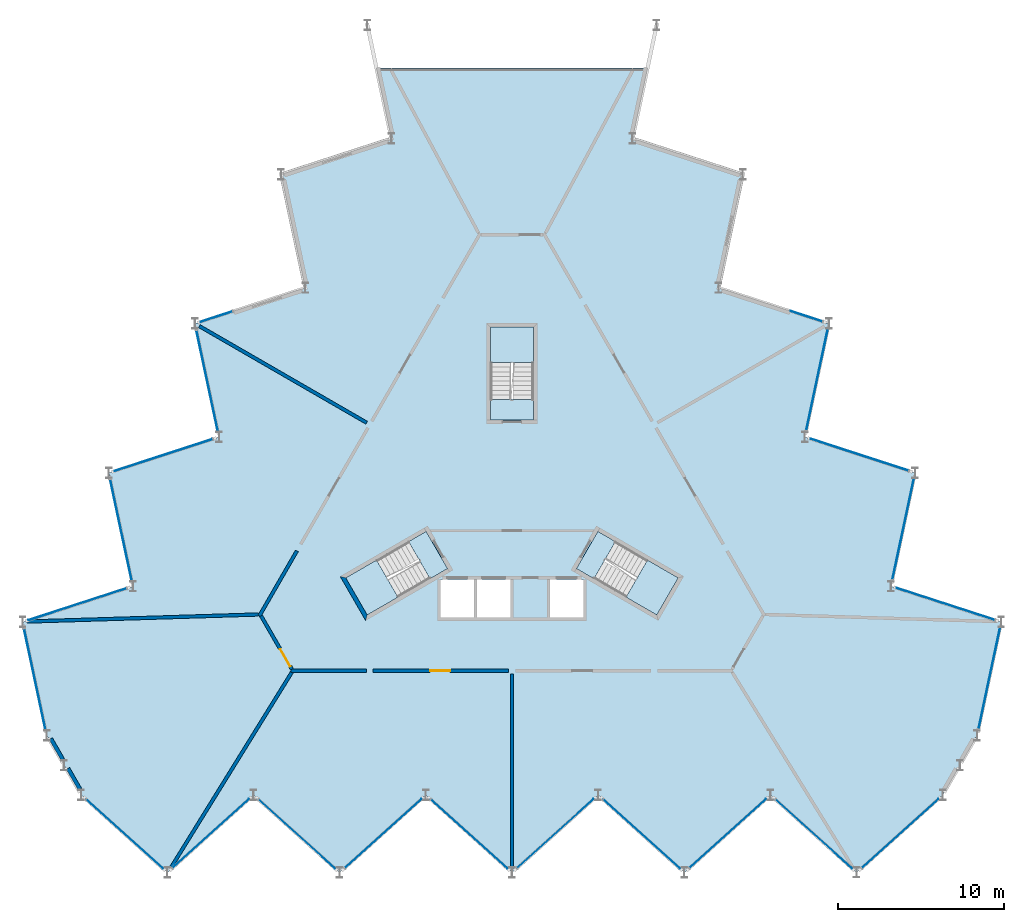
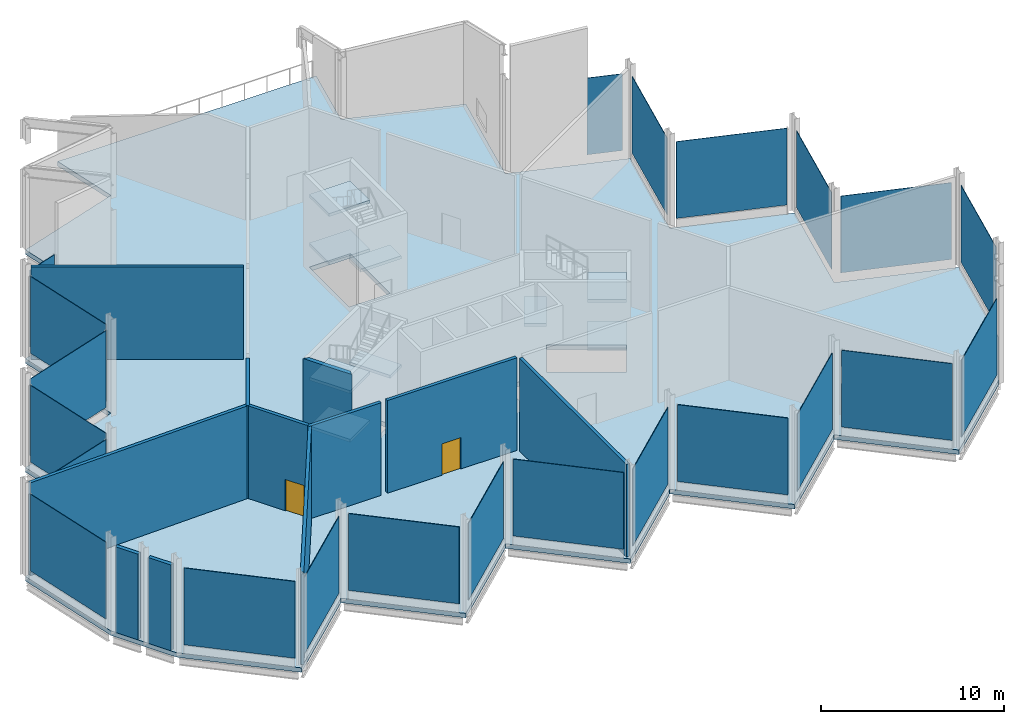
# One storey, part 9 of 12: 22 plates, 11 walls, 10 slabs, 2 doors, 2 openings, 25 elements without a shape of their own.
"""IFC4 building model written with IfcOpenShell, lengths in metres."""

from ifc_helpers import new_model, si_unit, direction, frame, frame_2d, origin, origin_2d, place, context, subcontext, project, spatial, polyline, rectangle, outline, extrude, material, layer, layer_set, type_object, element, fill, aggregate, save


model = new_model("IFC4")

# Units and contexts
model_context = context("Model", 3, precision=1e-05, world=origin(), true_north=direction((0.0, 1.0)))
body_context = subcontext(model_context, "Body", "Model", "MODEL_VIEW")
ifc_project = project(units=[si_unit("LENGTHUNIT", "METRE"), si_unit("AREAUNIT", "SQUARE_METRE"), si_unit("VOLUMEUNIT", "CUBIC_METRE"), si_unit("PLANEANGLEUNIT", "RADIAN"), si_unit("MASSUNIT", "GRAM", prefix="KILO")], contexts=[model_context])

# Site, building, storey
site_placement = place(None, origin())
site = spatial("IfcSite", under=ifc_project, at=site_placement, CompositionType="ELEMENT")
building_placement = place(site_placement, origin())
building = spatial("IfcBuilding", under=site, at=building_placement, Name="Cormorant Prow Tower", CompositionType="ELEMENT")
storey_placement = place(building_placement, frame((0.0, 0.0, 434.699951171875)))
storey = spatial("IfcBuildingStorey", under=building, at=storey_placement, Name="L97", CompositionType="ELEMENT", Elevation=434.699951171875)

# Curtain wall, plate
ifc_material_1 = material(Name="Aluminium 6063-T6", Category="aluminium")
ifc_layer_1 = layer(ifc_material_1, 0.219970703125)
ifc_layer_set_1 = layer_set([ifc_layer_1], Name="Aluminium 6063-T6")
curtain_wall_type = type_object("IfcCurtainWallType", Name="Crown unitised curtain wall 220", PredefinedType="NOTDEFINED", material=ifc_layer_set_1)
curtain_wall_1_placement = place(storey_placement, origin())
curtain_wall_1 = element("IfcCurtainWall", 1, at=curtain_wall_1_placement, inside=storey, type_object=curtain_wall_type, Name="Crown curtain wall crown S00", PredefinedType="NOTDEFINED")
ifc_material_2 = material(Name="Clear glass", Category="glass")
ifc_layer_2 = layer(ifc_material_2, 0.031982421875)
ifc_layer_set_2 = layer_set([ifc_layer_2], Name="Clear glass")
plate_type = type_object("IfcPlateType", Name="Crown glass panel 32", PredefinedType="CURTAIN_PANEL", material=ifc_layer_set_2)
plate_1_placement = place(storey_placement, frame((-23.377685546875, -19.766845703125, 0.60009765625), z_axis=(0.0, 0.0, 1.0), x_axis=(0.743144827638, -0.669130603959, 0.0)))
plate_1 = element("IfcPlate", 2, at=plate_1_placement, type_object=plate_type, Name="Crown glass panel crown S00", PredefinedType="CURTAIN_PANEL", context=body_context, shape_type="SweptSolid", body=[
    extrude(rectangle(XDim=6.205322265625, YDim=0.031982421875, at=origin_2d()), origin(), (0.0, 0.0, 1.0), 5.1337890625),
])
aggregate(curtain_wall_1, [plate_1])

curtain_wall_2_placement = place(storey_placement, origin())
curtain_wall_2 = element("IfcCurtainWall", 3, at=curtain_wall_2_placement, inside=storey, type_object=curtain_wall_type, Name="Crown curtain wall crown S01", PredefinedType="NOTDEFINED")
plate_2_placement = place(storey_placement, frame((-18.177734375, -19.726806640625, 0.60009765625), z_axis=(0.0, 0.0, 1.0), x_axis=(0.743144827638, 0.669130603959, 0.0)))
plate_2 = element("IfcPlate", 4, at=plate_2_placement, type_object=plate_type, Name="Crown glass panel crown S01", PredefinedType="CURTAIN_PANEL", context=body_context, shape_type="SweptSolid", body=[
    extrude(rectangle(XDim=6.205322265625, YDim=0.031982421875, at=origin_2d()), origin(), (0.0, 0.0, 1.0), 5.1337890625),
])
aggregate(curtain_wall_2, [plate_2])

curtain_wall_3_placement = place(storey_placement, origin())
curtain_wall_3 = element("IfcCurtainWall", 5, at=curtain_wall_3_placement, inside=storey, type_object=curtain_wall_type, Name="Crown curtain wall crown S02", PredefinedType="NOTDEFINED")
plate_3_placement = place(storey_placement, frame((-12.977783203125, -19.766845703125, 0.60009765625), z_axis=(0.0, 0.0, 1.0), x_axis=(0.743144827638, -0.669130603959, 0.0)))
plate_3 = element("IfcPlate", 6, at=plate_3_placement, type_object=plate_type, Name="Crown glass panel crown S02", PredefinedType="CURTAIN_PANEL", context=body_context, shape_type="SweptSolid", body=[
    extrude(rectangle(XDim=6.205322265625, YDim=0.031982421875, at=origin_2d()), origin(), (0.0, 0.0, 1.0), 5.1337890625),
])
aggregate(curtain_wall_3, [plate_3])

curtain_wall_4_placement = place(storey_placement, origin())
curtain_wall_4 = element("IfcCurtainWall", 7, at=curtain_wall_4_placement, inside=storey, type_object=curtain_wall_type, Name="Crown curtain wall crown S03", PredefinedType="NOTDEFINED")
plate_4_placement = place(storey_placement, frame((-7.777587890625, -19.726806640625, 0.60009765625), z_axis=(0.0, 0.0, 1.0), x_axis=(0.743144827638, 0.669130603959, 0.0)))
plate_4 = element("IfcPlate", 8, at=plate_4_placement, type_object=plate_type, Name="Crown glass panel crown S03", PredefinedType="CURTAIN_PANEL", context=body_context, shape_type="SweptSolid", body=[
    extrude(rectangle(XDim=6.205322265625, YDim=0.031982421875, at=origin_2d()), origin(), (0.0, 0.0, 1.0), 5.1337890625),
])
aggregate(curtain_wall_4, [plate_4])

curtain_wall_5_placement = place(storey_placement, origin())
curtain_wall_5 = element("IfcCurtainWall", 9, at=curtain_wall_5_placement, inside=storey, type_object=curtain_wall_type, Name="Crown curtain wall crown S04", PredefinedType="NOTDEFINED")
plate_5_placement = place(storey_placement, frame((-2.57763671875, -19.766845703125, 0.60009765625), z_axis=(0.0, 0.0, 1.0), x_axis=(0.743144827638, -0.669130603959, 0.0)))
plate_5 = element("IfcPlate", 10, at=plate_5_placement, type_object=plate_type, Name="Crown glass panel crown S04", PredefinedType="CURTAIN_PANEL", context=body_context, shape_type="SweptSolid", body=[
    extrude(rectangle(XDim=6.205322265625, YDim=0.031982421875, at=origin_2d()), origin(), (0.0, 0.0, 1.0), 5.1337890625),
])
aggregate(curtain_wall_5, [plate_5])

curtain_wall_6_placement = place(storey_placement, origin())
curtain_wall_6 = element("IfcCurtainWall", 11, at=curtain_wall_6_placement, inside=storey, type_object=curtain_wall_type, Name="Crown curtain wall crown S05", PredefinedType="NOTDEFINED")
plate_6_placement = place(storey_placement, frame((2.622314453125, -19.726806640625, 0.60009765625), z_axis=(0.0, 0.0, 1.0), x_axis=(0.743144827638, 0.669130603959, 0.0)))
plate_6 = element("IfcPlate", 12, at=plate_6_placement, type_object=plate_type, Name="Crown glass panel crown S05", PredefinedType="CURTAIN_PANEL", context=body_context, shape_type="SweptSolid", body=[
    extrude(rectangle(XDim=6.205322265625, YDim=0.031982421875, at=origin_2d()), origin(), (0.0, 0.0, 1.0), 5.1337890625),
])
aggregate(curtain_wall_6, [plate_6])

curtain_wall_7_placement = place(storey_placement, origin())
curtain_wall_7 = element("IfcCurtainWall", 13, at=curtain_wall_7_placement, inside=storey, type_object=curtain_wall_type, Name="Crown curtain wall crown S06", PredefinedType="NOTDEFINED")
plate_7_placement = place(storey_placement, frame((7.822265625, -19.766845703125, 0.60009765625), z_axis=(0.0, 0.0, 1.0), x_axis=(0.743144827638, -0.669130603959, 0.0)))
plate_7 = element("IfcPlate", 14, at=plate_7_placement, type_object=plate_type, Name="Crown glass panel crown S06", PredefinedType="CURTAIN_PANEL", context=body_context, shape_type="SweptSolid", body=[
    extrude(rectangle(XDim=6.205322265625, YDim=0.031982421875, at=origin_2d()), origin(), (0.0, 0.0, 1.0), 5.1337890625),
])
aggregate(curtain_wall_7, [plate_7])

curtain_wall_8_placement = place(storey_placement, origin())
curtain_wall_8 = element("IfcCurtainWall", 15, at=curtain_wall_8_placement, inside=storey, type_object=curtain_wall_type, Name="Crown curtain wall crown S07", PredefinedType="NOTDEFINED")
plate_8_placement = place(storey_placement, frame((13.022216796875, -19.726806640625, 0.60009765625), z_axis=(0.0, 0.0, 1.0), x_axis=(0.743144827638, 0.669130603959, 0.0)))
plate_8 = element("IfcPlate", 16, at=plate_8_placement, type_object=plate_type, Name="Crown glass panel crown S07", PredefinedType="CURTAIN_PANEL", context=body_context, shape_type="SweptSolid", body=[
    extrude(rectangle(XDim=6.205322265625, YDim=0.031982421875, at=origin_2d()), origin(), (0.0, 0.0, 1.0), 5.1337890625),
])
aggregate(curtain_wall_8, [plate_8])

curtain_wall_9_placement = place(storey_placement, origin())
curtain_wall_9 = element("IfcCurtainWall", 17, at=curtain_wall_9_placement, inside=storey, type_object=curtain_wall_type, Name="Crown curtain wall crown S08", PredefinedType="NOTDEFINED")
plate_9_placement = place(storey_placement, frame((18.222412109375, -19.766845703125, 0.60009765625), z_axis=(0.0, 0.0, 1.0), x_axis=(0.743144827638, -0.669130603959, 0.0)))
plate_9 = element("IfcPlate", 18, at=plate_9_placement, type_object=plate_type, Name="Crown glass panel crown S08", PredefinedType="CURTAIN_PANEL", context=body_context, shape_type="SweptSolid", body=[
    extrude(rectangle(XDim=6.205322265625, YDim=0.031982421875, at=origin_2d()), origin(), (0.0, 0.0, 1.0), 5.1337890625),
])
aggregate(curtain_wall_9, [plate_9])

curtain_wall_10_placement = place(storey_placement, origin())
curtain_wall_10 = element("IfcCurtainWall", 19, at=curtain_wall_10_placement, inside=storey, type_object=curtain_wall_type, Name="Crown curtain wall crown S09", PredefinedType="NOTDEFINED")
plate_10_placement = place(storey_placement, frame((23.42236328125, -19.726806640625, 0.60009765625), z_axis=(0.0, 0.0, 1.0), x_axis=(0.743144827638, 0.669130603959, 0.0)))
plate_10 = element("IfcPlate", 20, at=plate_10_placement, type_object=plate_type, Name="Crown glass panel crown S09", PredefinedType="CURTAIN_PANEL", context=body_context, shape_type="SweptSolid", body=[
    extrude(rectangle(XDim=6.205322265625, YDim=0.031982421875, at=origin_2d()), origin(), (0.0, 0.0, 1.0), 5.1337890625),
])
aggregate(curtain_wall_10, [plate_10])

curtain_wall_11_placement = place(storey_placement, origin())
curtain_wall_11 = element("IfcCurtainWall", 21, at=curtain_wall_11_placement, inside=storey, type_object=curtain_wall_type, Name="Crown curtain wall crown ENE00", PredefinedType="NOTDEFINED")
plate_11_placement = place(storey_placement, frame((28.807373046875, -10.3623046875, 0.60009765625), z_axis=(0.0, 0.0, 1.0), x_axis=(0.207911620089, 0.978147615768, 0.0)))
plate_11 = element("IfcPlate", 22, at=plate_11_placement, type_object=plate_type, Name="Crown glass panel crown ENE00", PredefinedType="CURTAIN_PANEL", context=body_context, shape_type="SweptSolid", body=[
    extrude(rectangle(XDim=6.205322265625, YDim=0.031982421875, at=origin_2d()), origin(), (0.0, 0.0, 1.0), 5.1337890625),
])
aggregate(curtain_wall_11, [plate_11])

curtain_wall_12_placement = place(storey_placement, origin())
curtain_wall_12 = element("IfcCurtainWall", 23, at=curtain_wall_12_placement, inside=storey, type_object=curtain_wall_type, Name="Crown curtain wall crown ENE01", PredefinedType="NOTDEFINED")
plate_12_placement = place(storey_placement, frame((26.172607421875, -5.87890625, 0.60009765625), z_axis=(0.0, 0.0, 1.0), x_axis=(-0.951056534902, 0.309016937108, 0.0)))
plate_12 = element("IfcPlate", 24, at=plate_12_placement, type_object=plate_type, Name="Crown glass panel crown ENE01", PredefinedType="CURTAIN_PANEL", context=body_context, shape_type="SweptSolid", body=[
    extrude(rectangle(XDim=6.205322265625, YDim=0.031982421875, at=origin_2d()), origin(), (0.0, 0.0, 1.0), 5.1337890625),
])
aggregate(curtain_wall_12, [plate_12])

curtain_wall_13_placement = place(storey_placement, origin())
curtain_wall_13 = element("IfcCurtainWall", 25, at=curtain_wall_13_placement, inside=storey, type_object=curtain_wall_type, Name="Crown curtain wall crown ENE02", PredefinedType="NOTDEFINED")
plate_13_placement = place(storey_placement, frame((23.607421875, -1.355712890625, 0.60009765625), z_axis=(0.0, 0.0, 1.0), x_axis=(0.207911620089, 0.978147615768, 0.0)))
plate_13 = element("IfcPlate", 26, at=plate_13_placement, type_object=plate_type, Name="Crown glass panel crown ENE02", PredefinedType="CURTAIN_PANEL", context=body_context, shape_type="SweptSolid", body=[
    extrude(rectangle(XDim=6.205322265625, YDim=0.031982421875, at=origin_2d()), origin(), (0.0, 0.0, 1.0), 5.1337890625),
])
aggregate(curtain_wall_13, [plate_13])

curtain_wall_14_placement = place(storey_placement, origin())
curtain_wall_14 = element("IfcCurtainWall", 27, at=curtain_wall_14_placement, inside=storey, type_object=curtain_wall_type, Name="Crown curtain wall crown ENE03", PredefinedType="NOTDEFINED")
plate_14_placement = place(storey_placement, frame((20.97265625, 3.127685546875, 0.60009765625), z_axis=(0.0, 0.0, 1.0), x_axis=(-0.951056492904, 0.309017066365, 0.0)))
plate_14 = element("IfcPlate", 28, at=plate_14_placement, type_object=plate_type, Name="Crown glass panel crown ENE03", PredefinedType="CURTAIN_PANEL", context=body_context, shape_type="SweptSolid", body=[
    extrude(rectangle(XDim=6.205322265625, YDim=0.031982421875, at=origin_2d()), origin(), (0.0, 0.0, 1.0), 5.1337890625),
])
aggregate(curtain_wall_14, [plate_14])

curtain_wall_15_placement = place(storey_placement, origin())
curtain_wall_15 = element("IfcCurtainWall", 29, at=curtain_wall_15_placement, inside=storey, type_object=curtain_wall_type, Name="Crown curtain wall crown ENE04", PredefinedType="NOTDEFINED")
plate_15_placement = place(storey_placement, frame((18.407470703125, 7.651123046875, 0.60009765625), z_axis=(0.0, 0.0, 1.0), x_axis=(0.207911649162, 0.978147609588, 0.0)))
plate_15 = element("IfcPlate", 30, at=plate_15_placement, type_object=plate_type, Name="Crown glass panel crown ENE04", PredefinedType="CURTAIN_PANEL", context=body_context, shape_type="SweptSolid", body=[
    extrude(rectangle(XDim=6.205322265625, YDim=0.031982421875, at=origin_2d()), origin(), (0.0, 0.0, 1.0), 5.1337890625),
])
aggregate(curtain_wall_15, [plate_15])

curtain_wall_16_placement = place(storey_placement, origin())
curtain_wall_16 = element("IfcCurtainWall", 31, at=curtain_wall_16_placement, inside=storey, type_object=curtain_wall_type, Name="Crown curtain wall crown ENE05", PredefinedType="NOTDEFINED")
plate_16_placement = place(storey_placement, frame((17.771728515625, 11.48486328125, 0.60009765625), z_axis=(0.0, 0.0, 1.0), x_axis=(-0.951056492904, 0.309017066365, 0.0)))
plate_16 = element("IfcPlate", 32, at=plate_16_placement, type_object=plate_type, Name="Crown glass panel crown ENE05", PredefinedType="CURTAIN_PANEL", context=body_context, shape_type="SweptSolid", body=[
    extrude(rectangle(XDim=2.001220703125, YDim=0.031982421875, at=origin_2d()), origin(), (0.0, 0.0, 1.0), 5.1337890625),
])
aggregate(curtain_wall_16, [plate_16])

curtain_wall_17_placement = place(storey_placement, origin())
curtain_wall_17 = element("IfcCurtainWall", 33, at=curtain_wall_17_placement, inside=storey, type_object=curtain_wall_type, Name="Crown curtain wall crown WNW04", PredefinedType="NOTDEFINED")
plate_17_placement = place(storey_placement, frame((-17.828857421875, 11.46630859375, 0.60009765625), z_axis=(0.0, 0.0, 1.0), x_axis=(-0.951056492904, -0.309017066365, 0.0)))
plate_17 = element("IfcPlate", 34, at=plate_17_placement, type_object=plate_type, Name="Crown glass panel crown WNW04", PredefinedType="CURTAIN_PANEL", context=body_context, shape_type="SweptSolid", body=[
    extrude(rectangle(XDim=2.001220703125, YDim=0.031982421875, at=origin_2d()), origin(), (0.0, 0.0, 1.0), 5.1337890625),
])
aggregate(curtain_wall_17, [plate_17])

curtain_wall_18_placement = place(storey_placement, origin())
curtain_wall_18 = element("IfcCurtainWall", 35, at=curtain_wall_18_placement, inside=storey, type_object=curtain_wall_type, Name="Crown curtain wall crown WNW05", PredefinedType="NOTDEFINED")
plate_18_placement = place(storey_placement, frame((-18.39501953125, 7.59228515625, 0.60009765625), z_axis=(0.0, 0.0, 1.0), x_axis=(0.207911649162, -0.978147609588, 0.0)))
plate_18 = element("IfcPlate", 36, at=plate_18_placement, type_object=plate_type, Name="Crown glass panel crown WNW05", PredefinedType="CURTAIN_PANEL", context=body_context, shape_type="SweptSolid", body=[
    extrude(rectangle(XDim=6.205322265625, YDim=0.031982421875, at=origin_2d()), origin(), (0.0, 0.0, 1.0), 5.1337890625),
])
aggregate(curtain_wall_18, [plate_18])

curtain_wall_19_placement = place(storey_placement, origin())
curtain_wall_19 = element("IfcCurtainWall", 37, at=curtain_wall_19_placement, inside=storey, type_object=curtain_wall_type, Name="Crown curtain wall crown WNW06", PredefinedType="NOTDEFINED")
plate_19_placement = place(storey_placement, frame((-21.02978515625, 3.109130859375, 0.60009765625), z_axis=(0.0, 0.0, 1.0), x_axis=(-0.951056492904, -0.309017066365, 0.0)))
plate_19 = element("IfcPlate", 38, at=plate_19_placement, type_object=plate_type, Name="Crown glass panel crown WNW06", PredefinedType="CURTAIN_PANEL", context=body_context, shape_type="SweptSolid", body=[
    extrude(rectangle(XDim=6.205322265625, YDim=0.031982421875, at=origin_2d()), origin(), (0.0, 0.0, 1.0), 5.1337890625),
])
aggregate(curtain_wall_19, [plate_19])

curtain_wall_20_placement = place(storey_placement, origin())
curtain_wall_20 = element("IfcCurtainWall", 39, at=curtain_wall_20_placement, inside=storey, type_object=curtain_wall_type, Name="Crown curtain wall crown WNW07", PredefinedType="NOTDEFINED")
plate_20_placement = place(storey_placement, frame((-23.594970703125, -1.414306640625, 0.60009765625), z_axis=(0.0, 0.0, 1.0), x_axis=(0.207911620089, -0.978147615768, 0.0)))
plate_20 = element("IfcPlate", 40, at=plate_20_placement, type_object=plate_type, Name="Crown glass panel crown WNW07", PredefinedType="CURTAIN_PANEL", context=body_context, shape_type="SweptSolid", body=[
    extrude(rectangle(XDim=6.205322265625, YDim=0.031982421875, at=origin_2d()), origin(), (0.0, 0.0, 1.0), 5.1337890625),
])
aggregate(curtain_wall_20, [plate_20])

curtain_wall_21_placement = place(storey_placement, origin())
curtain_wall_21 = element("IfcCurtainWall", 41, at=curtain_wall_21_placement, inside=storey, type_object=curtain_wall_type, Name="Crown curtain wall crown WNW08", PredefinedType="NOTDEFINED")
plate_21_placement = place(storey_placement, frame((-26.229736328125, -5.8974609375, 0.60009765625), z_axis=(0.0, 0.0, 1.0), x_axis=(-0.951056534902, -0.309016937108, 0.0)))
plate_21 = element("IfcPlate", 42, at=plate_21_placement, type_object=plate_type, Name="Crown glass panel crown WNW08", PredefinedType="CURTAIN_PANEL", context=body_context, shape_type="SweptSolid", body=[
    extrude(rectangle(XDim=6.205322265625, YDim=0.031982421875, at=origin_2d()), origin(), (0.0, 0.0, 1.0), 5.1337890625),
])
aggregate(curtain_wall_21, [plate_21])

curtain_wall_22_placement = place(storey_placement, origin())
curtain_wall_22 = element("IfcCurtainWall", 43, at=curtain_wall_22_placement, inside=storey, type_object=curtain_wall_type, Name="Crown curtain wall crown WNW09", PredefinedType="NOTDEFINED")
plate_22_placement = place(storey_placement, frame((-28.794921875, -10.4208984375, 0.60009765625), z_axis=(0.0, 0.0, 1.0), x_axis=(0.207911620089, -0.978147615768, 0.0)))
plate_22 = element("IfcPlate", 44, at=plate_22_placement, type_object=plate_type, Name="Crown glass panel crown WNW09", PredefinedType="CURTAIN_PANEL", context=body_context, shape_type="SweptSolid", body=[
    extrude(rectangle(XDim=6.205322265625, YDim=0.031982421875, at=origin_2d()), origin(), (0.0, 0.0, 1.0), 5.1337890625),
])
aggregate(curtain_wall_22, [plate_22])

# Slab
ifc_material_3 = material(Name="Concrete C40/50", Category="concrete")
ifc_layer_3 = layer(ifc_material_3, 0.300048828125)
ifc_layer_set_3 = layer_set([ifc_layer_3], Name="Concrete C40/50")
slab_type_1 = type_object("IfcSlabType", Name="Post-tensioned flat slab 300", PredefinedType="FLOOR", material=ifc_layer_set_3)
slab_1_placement = place(storey_placement, frame((0.0, 0.0, -0.300048828125)))
element("IfcSlab", 45, at=slab_1_placement, inside=storey, type_object=slab_type_1, Name="Floor slab L97", PredefinedType="FLOOR", context=body_context, shape_type="SweptSolid", body=[
    extrude(outline(polyline([(22.873779296875, -4.80712890625), (24.32861328125, 2.037353515625), (17.673828125, 4.199462890625), (19.128662109375, 11.0439453125), (12.473876953125, 13.206298828125), (13.9287109375, 20.050537109375), (7.273681640625, 22.212890625), (8.179931640625, 26.47607421875), (-8.179931640625, 26.47607421875), (-7.273681640625, 22.212890625), (-13.9287109375, 20.050537109375), (-12.473876953125, 13.206298828125), (-19.128662109375, 11.0439453125), (-17.673828125, 4.199462890625), (-24.32861328125, 2.037353515625), (-22.873779296875, -4.80712890625), (-29.528564453125, -6.969482421875), (-28.07373046875, -13.813720703125), (-27.036865234375, -15.60986328125), (-26.0, -17.40576171875), (-20.800048828125, -22.087890625), (-15.60009765625, -17.40576171875), (-10.39990234375, -22.087890625), (-5.199951171875, -17.40576171875), (0.0, -22.087890625), (5.199951171875, -17.40576171875), (10.39990234375, -22.087890625), (15.60009765625, -17.40576171875), (20.800048828125, -22.087890625), (26.0, -17.40576171875), (27.036865234375, -15.60986328125), (28.07373046875, -13.813720703125), (29.528564453125, -6.969482421875), (22.873779296875, -4.80712890625)]), holes=[polyline([(-4.300048828125, -4.39990234375), (-2.300048828125, -4.39990234375), (-2.300048828125, -6.699951171875), (-4.300048828125, -6.699951171875), (-4.300048828125, -4.39990234375)]), polyline([(-0.10009765625, -4.39990234375), (-0.10009765625, -6.699951171875), (-2.10009765625, -6.699951171875), (-2.10009765625, -4.39990234375), (-0.10009765625, -4.39990234375)]), polyline([(4.300048828125, -6.699951171875), (2.300048828125, -6.699951171875), (2.300048828125, -4.39990234375), (4.300048828125, -4.39990234375), (4.300048828125, -6.699951171875)]), polyline([(-4.947509765625, -4.3505859375), (-8.738037109375, -6.5390625), (-10.031982421875, -4.2978515625), (-6.241455078125, -2.109375), (-4.947509765625, -4.3505859375)]), polyline([(10.031982421875, -4.2978515625), (8.738037109375, -6.5390625), (4.947509765625, -4.3505859375), (6.241455078125, -2.109375), (10.031982421875, -4.2978515625)]), polyline([(1.2939453125, 10.8369140625), (1.2939453125, 6.459716796875), (-1.2939453125, 6.459716796875), (-1.2939453125, 10.8369140625), (1.2939453125, 10.8369140625)])]), origin(), (0.0, 0.0, 1.0), 0.300048828125),
])

# Stair, slabs
ifc_material_4 = material(Name="Exit stair 36 risers")
stair_type = type_object("IfcStairType", Name="Exit stair 36 risers", PredefinedType="HALF_TURN_STAIR", material=ifc_material_4)
stair_1_placement = place(storey_placement, origin())
stair_1 = element("IfcStair", 46, at=stair_1_placement, inside=storey, type_object=stair_type, Name="L97 Exit stair ST1", PredefinedType="HALF_TURN_STAIR")
ifc_material_5 = material(Name="Concrete 5000 psi", Category="concrete")
ifc_layer_4 = layer(ifc_material_5, 0.199951171875)
ifc_layer_set_4 = layer_set([ifc_layer_4], Name="Concrete 5000 psi")
slab_type_2 = type_object("IfcSlabType", Name="Stair landing 200", PredefinedType="LANDING", material=ifc_layer_set_4)
slab_2_placement = place(storey_placement, frame((0.0, 0.0, 1.425048828125)))
slab_2 = element("IfcSlab", 47, at=slab_2_placement, type_object=slab_type_2, Name="ST1 landing 1", PredefinedType="LANDING", context=body_context, shape_type="SweptSolid", body=[
    extrude(outline(polyline([(-8.17431640625, -3.225341796875), (-10.031982421875, -4.2978515625), (-8.738037109375, -6.5390625), (-6.88037109375, -5.466552734375), (-8.17431640625, -3.225341796875)])), origin(), (0.0, 0.0, 1.0), 0.199951171875),
])
slab_3_placement = place(storey_placement, frame((0.0, 0.0, 3.050048828125)))
slab_3 = element("IfcSlab", 48, at=slab_3_placement, type_object=slab_type_2, Name="ST1 landing 2", PredefinedType="LANDING", context=body_context, shape_type="SweptSolid", body=[
    extrude(outline(polyline([(-5.18212890625, -1.497802734375), (-6.241455078125, -2.109375), (-4.947265625, -4.3505859375), (-3.88818359375, -3.739013671875), (-5.18212890625, -1.497802734375)])), origin(), (0.0, 0.0, 1.0), 0.199951171875),
])
slab_4_placement = place(storey_placement, frame((0.0, 0.0, 4.675048828125)))
slab_4 = element("IfcSlab", 49, at=slab_4_placement, type_object=slab_type_2, Name="ST1 landing 3", PredefinedType="LANDING", context=body_context, shape_type="SweptSolid", body=[
    extrude(outline(polyline([(-8.17431640625, -3.225341796875), (-10.031982421875, -4.2978515625), (-8.738037109375, -6.5390625), (-6.88037109375, -5.466552734375), (-8.17431640625, -3.225341796875)])), origin(), (0.0, 0.0, 1.0), 0.199951171875),
])
aggregate(stair_1, [slab_2, slab_3, slab_4])

stair_2_placement = place(storey_placement, origin())
stair_2 = element("IfcStair", 50, at=stair_2_placement, inside=storey, type_object=stair_type, Name="L97 Exit stair ST2", PredefinedType="HALF_TURN_STAIR")
slab_5_placement = place(storey_placement, frame((0.0, 0.0, 1.425048828125)))
slab_5 = element("IfcSlab", 51, at=slab_5_placement, type_object=slab_type_2, Name="ST2 landing 1", PredefinedType="LANDING", context=body_context, shape_type="SweptSolid", body=[
    extrude(outline(polyline([(6.88037109375, -5.466552734375), (8.738037109375, -6.5390625), (10.031982421875, -4.2978515625), (8.17431640625, -3.225341796875), (6.88037109375, -5.466552734375)])), origin(), (0.0, 0.0, 1.0), 0.199951171875),
])
slab_6_placement = place(storey_placement, frame((0.0, 0.0, 3.050048828125)))
slab_6 = element("IfcSlab", 52, at=slab_6_placement, type_object=slab_type_2, Name="ST2 landing 2", PredefinedType="LANDING", context=body_context, shape_type="SweptSolid", body=[
    extrude(outline(polyline([(3.88818359375, -3.739013671875), (4.947265625, -4.3505859375), (6.241455078125, -2.109375), (5.18212890625, -1.497802734375), (3.88818359375, -3.739013671875)])), origin(), (0.0, 0.0, 1.0), 0.199951171875),
])
slab_7_placement = place(storey_placement, frame((0.0, 0.0, 4.675048828125)))
slab_7 = element("IfcSlab", 53, at=slab_7_placement, type_object=slab_type_2, Name="ST2 landing 3", PredefinedType="LANDING", context=body_context, shape_type="SweptSolid", body=[
    extrude(outline(polyline([(6.88037109375, -5.466552734375), (8.738037109375, -6.5390625), (10.031982421875, -4.2978515625), (8.17431640625, -3.225341796875), (6.88037109375, -5.466552734375)])), origin(), (0.0, 0.0, 1.0), 0.199951171875),
])
aggregate(stair_2, [slab_5, slab_6, slab_7])

stair_3_placement = place(storey_placement, origin())
stair_3 = element("IfcStair", 54, at=stair_3_placement, inside=storey, type_object=stair_type, Name="L97 Exit stair ST3", PredefinedType="HALF_TURN_STAIR")
slab_8_placement = place(storey_placement, frame((0.0, 0.0, 1.425048828125)))
slab_8 = element("IfcSlab", 55, at=slab_8_placement, type_object=slab_type_2, Name="ST3 landing 1", PredefinedType="LANDING", context=body_context, shape_type="SweptSolid", body=[
    extrude(outline(polyline([(1.2939453125, 8.69189453125), (1.2939453125, 10.8369140625), (-1.2939453125, 10.8369140625), (-1.2939453125, 8.69189453125), (1.2939453125, 8.69189453125)])), origin(), (0.0, 0.0, 1.0), 0.199951171875),
])
slab_9_placement = place(storey_placement, frame((0.0, 0.0, 3.050048828125)))
slab_9 = element("IfcSlab", 56, at=slab_9_placement, type_object=slab_type_2, Name="ST3 landing 2", PredefinedType="LANDING", context=body_context, shape_type="SweptSolid", body=[
    extrude(outline(polyline([(1.2939453125, 5.23681640625), (1.2939453125, 6.459716796875), (-1.2939453125, 6.459716796875), (-1.2939453125, 5.23681640625), (1.2939453125, 5.23681640625)])), origin(), (0.0, 0.0, 1.0), 0.199951171875),
])
slab_10_placement = place(storey_placement, frame((0.0, 0.0, 4.675048828125)))
slab_10 = element("IfcSlab", 57, at=slab_10_placement, type_object=slab_type_2, Name="ST3 landing 3", PredefinedType="LANDING", context=body_context, shape_type="SweptSolid", body=[
    extrude(outline(polyline([(1.2939453125, 8.69189453125), (1.2939453125, 10.8369140625), (-1.2939453125, 10.8369140625), (-1.2939453125, 8.69189453125), (1.2939453125, 8.69189453125)])), origin(), (0.0, 0.0, 1.0), 0.199951171875),
])
aggregate(stair_3, [slab_8, slab_9, slab_10])

# Wall, opening, door
ifc_material_6 = material(Name="Gypsum board corridor wall")
ifc_layer_5 = layer(ifc_material_6, 0.199951171875)
ifc_layer_set_5 = layer_set([ifc_layer_5], Name="Gypsum board corridor wall")
wall_type_1 = type_object("IfcWallType", Name="Corridor wall 200", PredefinedType="PARTITIONING", material=ifc_layer_set_5)
wall_1_placement = place(storey_placement, frame((-8.381591796875, -9.905517578125, 0.0), z_axis=(0.0, 0.0, 1.0), x_axis=(1.0, 0.0, 0.0)))
wall_1 = element("IfcWall", 58, at=wall_1_placement, inside=storey, type_object=wall_type_1, Name="Corridor wall", PredefinedType="PARTITIONING", context=body_context, shape_type="SweptSolid", body=[
    extrude(rectangle(XDim=8.1845703125, YDim=0.199951171875, at=frame_2d((4.09228515625, 0.0))), origin(), (0.0, 0.0, 1.0), 6.199951171875),
])
opening_1_placement = place(wall_1_placement, frame((3.441650390625, 0.0, 0.0)))
opening_1 = element("IfcOpeningElement", 59, at=opening_1_placement, cuts=wall_1, Name="Opening L97-F03", PredefinedType="OPENING", context=body_context, shape_type="SweptSolid", body=[
    extrude(rectangle(XDim=1.199951171875, YDim=2.10009765625, at=frame_2d((0.60009765625, 1.050048828125))), frame((0.0, 0.10986328125, 0.0), z_axis=(0.0, -1.0, 0.0), x_axis=(1.0, 0.0, 0.0)), (0.0, 0.0, 1.0), 0.219970703125),
])
ifc_material_7 = material(Name="Timber door leaf", Category="wood")
door_type = type_object("IfcDoorType", Name="Plant room door 1200x2100", OperationType="NOTDEFINED", PredefinedType="DOOR", material=ifc_material_7)
door_1_placement = place(opening_1_placement, origin())
door_1 = element("IfcDoor", 60, at=door_1_placement, inside=storey, type_object=door_type, Name="Water tank room door", OperationType="SINGLE_SWING_LEFT", OverallHeight=2.10009765625, OverallWidth=1.199951171875, PredefinedType="DOOR", context=body_context, shape_type="SweptSolid", body=[
    extrude(rectangle(XDim=1.199951171875, YDim=2.10009765625, at=frame_2d((0.60009765625, 1.050048828125))), frame((0.0, 0.02490234375, 0.0), z_axis=(0.0, -1.0, 0.0), x_axis=(1.0, 0.0, 0.0)), (0.0, 0.0, 1.0), 0.050048828125),
])
fill(opening_1, door_1)

# Walls
wall_2_placement = place(storey_placement, frame((-13.330810546875, -9.905517578125, 0.0), z_axis=(0.0, 0.0, 1.0), x_axis=(1.0, 0.0, 0.0)))
element("IfcWall", 61, at=wall_2_placement, inside=storey, type_object=wall_type_1, Name="Corridor wall", PredefinedType="PARTITIONING", context=body_context, shape_type="SweptSolid", body=[
    extrude(rectangle(XDim=4.555419921875, YDim=0.199951171875, at=frame_2d((2.27783203125, 0.0))), origin(), (0.0, 0.0, 1.0), 6.199951171875),
])
wall_3_placement = place(storey_placement, frame((-15.243896484375, -6.59228515625, 0.0), z_axis=(0.0, 0.0, 1.0), x_axis=(0.499974648164, 0.866040040179, 0.0)))
element("IfcWall", 62, at=wall_3_placement, inside=storey, type_object=wall_type_1, Name="Corridor wall", PredefinedType="PARTITIONING", context=body_context, shape_type="SweptSolid", body=[
    extrude(rectangle(XDim=4.525146484375, YDim=0.199951171875, at=frame_2d((2.2626953125, 0.0))), origin(), (0.0, 0.0, 1.0), 6.199951171875),
])

# Wall, opening, door
wall_4_placement = place(storey_placement, frame((-15.143798828125, -6.59228515625, 0.0), z_axis=(0.0, 0.0, 1.0), x_axis=(0.499958791762, -0.866049194065, 0.0)))
wall_4 = element("IfcWall", 63, at=wall_4_placement, inside=storey, type_object=wall_type_1, Name="Corridor wall", PredefinedType="PARTITIONING", context=body_context, shape_type="SweptSolid", body=[
    extrude(rectangle(XDim=3.725830078125, YDim=0.199951171875, at=frame_2d((1.86279296875, 0.0))), origin(), (0.0, 0.0, 1.0), 6.199951171875),
])
opening_2_placement = place(wall_4_placement, frame((2.324951171875, 0.0, 0.0)))
opening_2 = element("IfcOpeningElement", 64, at=opening_2_placement, cuts=wall_4, Name="Opening L97-F01", PredefinedType="OPENING", context=body_context, shape_type="SweptSolid", body=[
    extrude(rectangle(XDim=1.199951171875, YDim=2.10009765625, at=frame_2d((0.60009765625, 1.050048828125))), frame((0.0, 0.10986328125, 0.0), z_axis=(0.0, -1.0, 0.0), x_axis=(1.0, 0.0, 0.0)), (0.0, 0.0, 1.0), 0.219970703125),
])
door_2_placement = place(opening_2_placement, origin())
door_2 = element("IfcDoor", 65, at=door_2_placement, inside=storey, type_object=door_type, Name="Damper plant room door", OperationType="SINGLE_SWING_RIGHT", OverallHeight=2.10009765625, OverallWidth=1.199951171875, PredefinedType="DOOR", context=body_context, shape_type="SweptSolid", body=[
    extrude(rectangle(XDim=1.199951171875, YDim=2.10009765625, at=frame_2d((0.60009765625, 1.050048828125))), frame((0.0, 0.02490234375, 0.0), z_axis=(0.0, -1.0, 0.0), x_axis=(1.0, 0.0, 0.0)), (0.0, 0.0, 1.0), 0.050048828125),
])
fill(opening_2, door_2)

# Walls
ifc_material_8 = material(Name="Gypsum board demising wall")
ifc_layer_6 = layer(ifc_material_8, 0.199951171875)
ifc_layer_set_6 = layer_set([ifc_layer_6], Name="Gypsum board demising wall")
wall_type_2 = type_object("IfcWallType", Name="Demising wall 200", PredefinedType="PARTITIONING", material=ifc_layer_set_6)
wall_5_placement = place(storey_placement, frame((-29.260498046875, -6.934814453125, 0.0), z_axis=(0.0, 0.0, 1.0), x_axis=(0.999534583604, 0.030506002359, 0.0)))
element("IfcWall", 66, at=wall_5_placement, inside=storey, type_object=wall_type_2, Name="Demising wall", PredefinedType="PARTITIONING", context=body_context, shape_type="SweptSolid", body=[
    extrude(rectangle(XDim=13.973388671875, YDim=0.199951171875, at=frame_2d((6.98681640625, 0.0))), origin(), (0.0, 0.0, 1.0), 6.199951171875),
])
wall_6_placement = place(storey_placement, frame((-20.608154296875, -21.827880859375, 0.0), z_axis=(0.0, 0.0, 1.0), x_axis=(0.526187960676, 0.850368290825, 0.0)))
element("IfcWall", 67, at=wall_6_placement, inside=storey, type_object=wall_type_2, Name="Demising wall", PredefinedType="PARTITIONING", context=body_context, shape_type="SweptSolid", body=[
    extrude(rectangle(XDim=13.92041015625, YDim=0.199951171875, at=frame_2d((6.960205078125, 0.0))), origin(), (0.0, 0.0, 1.0), 6.199951171875),
])
wall_7_placement = place(storey_placement, frame((0.0, -21.827880859375, 0.0), z_axis=(0.0, 0.0, 1.0), x_axis=(0.0, 1.0, 0.0)))
element("IfcWall", 68, at=wall_7_placement, inside=storey, type_object=wall_type_2, Name="Demising wall", PredefinedType="PARTITIONING", context=body_context, shape_type="SweptSolid", body=[
    extrude(rectangle(XDim=11.725341796875, YDim=0.199951171875, at=frame_2d((5.86279296875, 0.0))), origin(), (0.0, 0.0, 1.0), 6.199951171875),
])
wall_8_placement = place(storey_placement, frame((-18.86865234375, 10.893798828125, 0.0), z_axis=(0.0, 0.0, 1.0), x_axis=(0.866023724155, -0.500002909193, 0.0)))
element("IfcWall", 69, at=wall_8_placement, inside=storey, type_object=wall_type_2, Name="Demising wall", PredefinedType="PARTITIONING", context=body_context, shape_type="SweptSolid", body=[
    extrude(rectangle(XDim=11.65478515625, YDim=0.199951171875, at=frame_2d((5.827392578125, 0.0))), origin(), (0.0, 0.0, 1.0), 6.199951171875),
])
ifc_material_9 = material(Name="Concrete 8000 psi", Category="concrete")
ifc_layer_7 = layer(ifc_material_9, 0.25)
ifc_layer_set_7 = layer_set([ifc_layer_7], Name="Concrete 8000 psi")
wall_type_3 = type_object("IfcWallType", Name="Stair wall 250", PredefinedType="SHEAR", material=ifc_layer_set_7)
wall_9_placement = place(storey_placement, origin())
element("IfcWall", 70, at=wall_9_placement, inside=storey, type_object=wall_type_3, Name="Stair ST1 enclosure wall (end)", PredefinedType="SHEAR", context=body_context, shape_type="SweptSolid", body=[
    extrude(outline(polyline([(-10.37353515625, -4.206298828125), (-8.82958984375, -6.880615234375), (-8.738037109375, -6.5390625), (-10.031982421875, -4.2978515625), (-10.37353515625, -4.206298828125)])), origin(), (0.0, 0.0, 1.0), 6.199951171875),
])
ifc_material_10 = material(Name="Terracotta", Category="masonry")
ifc_layer_8 = layer(ifc_material_10, 0.22998046875)
ifc_layer_set_8 = layer_set([ifc_layer_8], Name="Terracotta")
wall_type_4 = type_object("IfcWallType", Name="Terracotta crown cladding wall 230", PredefinedType="SOLIDWALL", material=ifc_layer_set_8)
for number, where, z_axis, x_axis, name in (
    (71, (-27.830810546875, -14.004638671875, 0.0), (0.0, 0.0, 1.0), (0.500001025616, -0.866024811644, 0.0), "Terracotta crown wall WSW00"),
    (72, (-26.7939453125, -15.800537109375, 0.0), (0.0, 0.0, 1.0), (0.500001025616, -0.866024811644, 0.0), "Terracotta crown wall WSW01"),
):
    element("IfcWall", number, at=place(storey_placement, frame(where, z_axis=z_axis, x_axis=x_axis)), inside=storey, type_object=wall_type_4, Name=name, PredefinedType="SOLIDWALL", context=body_context, shape_type="SweptSolid", body=[
        extrude(rectangle(XDim=1.44140625, YDim=0.22998046875, at=frame_2d((0.720703125, 0.0))), origin(), (0.0, 0.0, 1.0), 5.73388671875),
    ])

save(model, "model.ifc")
